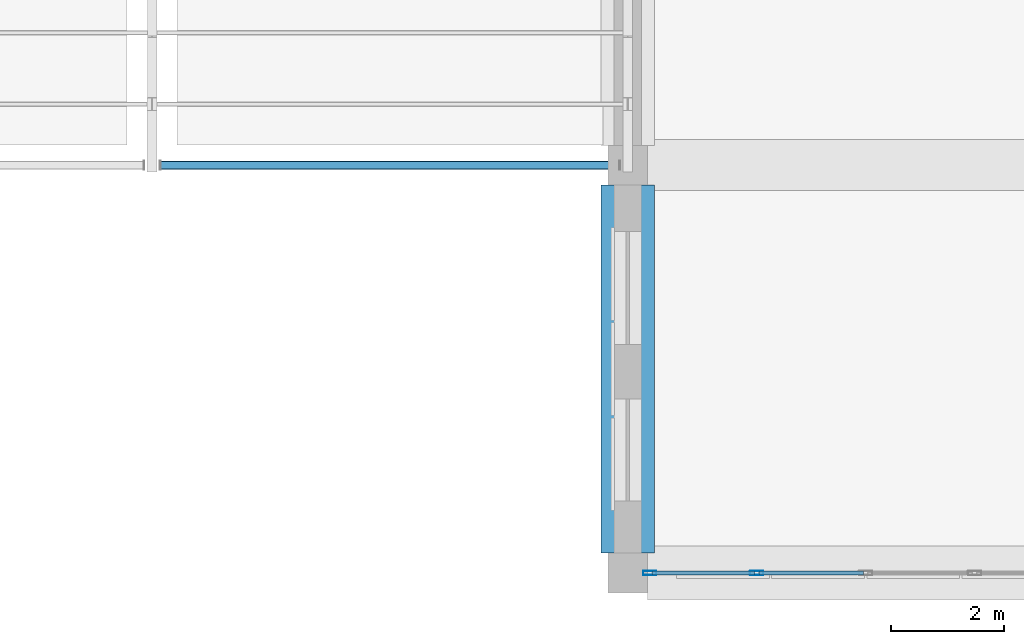
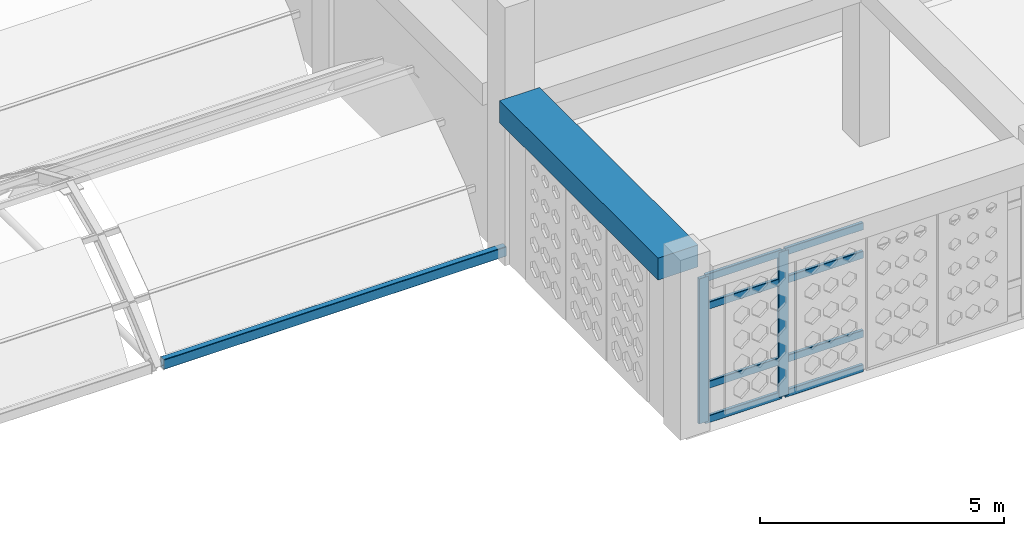
# One storey, part 11 of 100: 10 members, 2 beams, 1 element without a shape of its own.
"""IFC4 building model written with IfcOpenShell, lengths in metres."""

from ifc_helpers import new_model, si_unit, derived_unit, direction, frame, origin, origin_2d, place, context, subcontext, project, spatial, rectangle, hollow_rectangle, extrude, material, material_profile, profile_set, type_object, element, aggregate, save


model = new_model("IFC4")

# Units and contexts
model_context = context("Model", 3, precision=1e-05, world=origin(), true_north=direction((0.0, 1.0)))
body_context = subcontext(model_context, "Body", "Model", "MODEL_VIEW")
ifc_project = project(units=[si_unit("LENGTHUNIT", "METRE"), si_unit("AREAUNIT", "SQUARE_METRE"), si_unit("VOLUMEUNIT", "CUBIC_METRE"), si_unit("PLANEANGLEUNIT", "RADIAN"), si_unit("MASSUNIT", "GRAM", prefix="KILO"), derived_unit("THERMALTRANSMITTANCEUNIT", [(si_unit("POWERUNIT", "WATT"), 1), (si_unit("LENGTHUNIT", "METRE"), -2), (si_unit("THERMODYNAMICTEMPERATUREUNIT", "KELVIN"), -1)])], contexts=[model_context])

# Site, building, storey
site_placement = place(None, origin())
site = spatial("IfcSite", under=ifc_project, at=site_placement, CompositionType="ELEMENT")
building_placement = place(site_placement, origin())
building = spatial("IfcBuilding", under=site, at=building_placement, Name="Veybourne Emporium", CompositionType="ELEMENT")
storey_placement = place(building_placement, frame((0.0, 0.0, 14.39990234375)))
storey = spatial("IfcBuildingStorey", under=building, at=storey_placement, Name="L03", CompositionType="ELEMENT", Elevation=14.39990234375)

# Curtain wall, members
ifc_material_1 = material(Name="Patinated Architectural Bronze", Category="bronze")
curtain_wall_type = type_object("IfcCurtainWallType", Name="CWSystem_CWS-19", PredefinedType="NOTDEFINED", material=ifc_material_1)
curtain_wall_placement = place(storey_placement, origin())
curtain_wall = element("IfcCurtainWall", 1, at=curtain_wall_placement, inside=storey, type_object=curtain_wall_type, Name="L03 bronze glazed curtain wall CWS-19 (048)", PredefinedType="NOTDEFINED")
ifc_material_profile_1 = material_profile(ifc_material_1, hollow_rectangle(XDim=0.077880859375, YDim=0.235107421875, WallThickness=0.0048828125, InnerFilletRadius=0.007568359375, OuterFilletRadius=0.012451171875, at=origin_2d()), Name="CWM 78x235x5")
ifc_profile_set_1 = profile_set([ifc_material_profile_1], Name="Patinated Architectural Bronze")
member_type_1 = type_object("IfcMemberType", Name="CWMullion_CW-M3", PredefinedType="MULLION", material=ifc_profile_set_1)
member_1_placement = place(storey_placement, frame((94.675048828125, 0.0, 0.0), z_axis=(0.0, 0.0, 1.0), x_axis=(0.0, -1.0, 0.0)))
member_1 = element("IfcMember", 2, at=member_1_placement, type_object=member_type_1, Name="CWS-19 mullion 4", PredefinedType="MULLION", context=body_context, shape_type="SweptSolid", body=[
    extrude(hollow_rectangle(XDim=0.077880859375, YDim=0.235107421875, WallThickness=0.0048828125, InnerFilletRadius=0.007568359375, OuterFilletRadius=0.012451171875, at=origin_2d()), origin(), (0.0, 0.0, 1.0), 3.630126953125),
])
member_2_placement = place(storey_placement, frame((92.7890625, 0.0, 0.0), z_axis=(0.0, 0.0, 1.0), x_axis=(0.0, -1.0, 0.0)))
member_2 = element("IfcMember", 3, at=member_2_placement, type_object=member_type_1, Name="CWS-19 mullion 5", PredefinedType="MULLION", context=body_context, shape_type="SweptSolid", body=[
    extrude(hollow_rectangle(XDim=0.077880859375, YDim=0.235107421875, WallThickness=0.0048828125, InnerFilletRadius=0.007568359375, OuterFilletRadius=0.012451171875, at=origin_2d()), origin(), (0.0, 0.0, 1.0), 3.630126953125),
])
ifc_material_profile_2 = material_profile(ifc_material_1, hollow_rectangle(XDim=0.077880859375, YDim=0.18505859375, WallThickness=0.0048828125, InnerFilletRadius=0.007568359375, OuterFilletRadius=0.012451171875, at=origin_2d()), Name="CWT 78x185x5")
ifc_profile_set_2 = profile_set([ifc_material_profile_2], Name="Patinated Architectural Bronze")
member_type_2 = type_object("IfcMemberType", Name="CWTransom_CW-T3", PredefinedType="NOTDEFINED", material=ifc_profile_set_2)
member_3_placement = place(storey_placement, frame((96.56103515625, 0.0, 0.0390625), z_axis=(-1.0, 0.0, 0.0), x_axis=(0.0, -1.0, 0.0)))
member_3 = element("IfcMember", 4, at=member_3_placement, type_object=member_type_2, Name="CWS-19 transom 3.1", ObjectType="TRANSOM", PredefinedType="USERDEFINED", context=body_context, shape_type="SweptSolid", body=[
    extrude(hollow_rectangle(XDim=0.077880859375, YDim=0.18505859375, WallThickness=0.0048828125, InnerFilletRadius=0.007568359375, OuterFilletRadius=0.012451171875, at=origin_2d()), origin(), (0.0, 0.0, 1.0), 1.846923828125),
])
member_4_placement = place(storey_placement, frame((96.56103515625, 0.0, 0.900146484375), z_axis=(-1.0, 0.0, 0.0), x_axis=(0.0, -1.0, 0.0)))
member_4 = element("IfcMember", 5, at=member_4_placement, type_object=member_type_2, Name="CWS-19 transom 3.2", ObjectType="TRANSOM", PredefinedType="USERDEFINED", context=body_context, shape_type="SweptSolid", body=[
    extrude(hollow_rectangle(XDim=0.077880859375, YDim=0.18505859375, WallThickness=0.0048828125, InnerFilletRadius=0.007568359375, OuterFilletRadius=0.012451171875, at=origin_2d()), origin(), (0.0, 0.0, 1.0), 1.846923828125),
])
member_5_placement = place(storey_placement, frame((96.56103515625, 0.0, 2.880126953125), z_axis=(-1.0, 0.0, 0.0), x_axis=(0.0, -1.0, 0.0)))
member_5 = element("IfcMember", 6, at=member_5_placement, type_object=member_type_2, Name="CWS-19 transom 3.3", ObjectType="TRANSOM", PredefinedType="USERDEFINED", context=body_context, shape_type="SweptSolid", body=[
    extrude(hollow_rectangle(XDim=0.077880859375, YDim=0.18505859375, WallThickness=0.0048828125, InnerFilletRadius=0.007568359375, OuterFilletRadius=0.012451171875, at=origin_2d()), origin(), (0.0, 0.0, 1.0), 1.846923828125),
])
member_6_placement = place(storey_placement, frame((96.56103515625, 0.0, 3.591064453125), z_axis=(-1.0, 0.0, 0.0), x_axis=(0.0, -1.0, 0.0)))
member_6 = element("IfcMember", 7, at=member_6_placement, type_object=member_type_2, Name="CWS-19 transom 3.4", ObjectType="TRANSOM", PredefinedType="USERDEFINED", context=body_context, shape_type="SweptSolid", body=[
    extrude(hollow_rectangle(XDim=0.077880859375, YDim=0.18505859375, WallThickness=0.0048828125, InnerFilletRadius=0.007568359375, OuterFilletRadius=0.012451171875, at=origin_2d()), origin(), (0.0, 0.0, 1.0), 1.846923828125),
])
member_7_placement = place(storey_placement, frame((94.635986328125, 0.0, 0.0390625), z_axis=(-1.0, 0.0, 0.0), x_axis=(0.0, -1.0, 0.0)))
member_7 = element("IfcMember", 8, at=member_7_placement, type_object=member_type_2, Name="CWS-19 transom 4.1", ObjectType="TRANSOM", PredefinedType="USERDEFINED", context=body_context, shape_type="SweptSolid", body=[
    extrude(hollow_rectangle(XDim=0.077880859375, YDim=0.18505859375, WallThickness=0.0048828125, InnerFilletRadius=0.007568359375, OuterFilletRadius=0.012451171875, at=origin_2d()), origin(), (0.0, 0.0, 1.0), 1.80810546875),
])
member_8_placement = place(storey_placement, frame((94.635986328125, 0.0, 0.900146484375), z_axis=(-1.0, 0.0, 0.0), x_axis=(0.0, -1.0, 0.0)))
member_8 = element("IfcMember", 9, at=member_8_placement, type_object=member_type_2, Name="CWS-19 transom 4.2", ObjectType="TRANSOM", PredefinedType="USERDEFINED", context=body_context, shape_type="SweptSolid", body=[
    extrude(hollow_rectangle(XDim=0.077880859375, YDim=0.18505859375, WallThickness=0.0048828125, InnerFilletRadius=0.007568359375, OuterFilletRadius=0.012451171875, at=origin_2d()), origin(), (0.0, 0.0, 1.0), 1.80810546875),
])
member_9_placement = place(storey_placement, frame((94.635986328125, 0.0, 2.880126953125), z_axis=(-1.0, 0.0, 0.0), x_axis=(0.0, -1.0, 0.0)))
member_9 = element("IfcMember", 10, at=member_9_placement, type_object=member_type_2, Name="CWS-19 transom 4.3", ObjectType="TRANSOM", PredefinedType="USERDEFINED", context=body_context, shape_type="SweptSolid", body=[
    extrude(hollow_rectangle(XDim=0.077880859375, YDim=0.18505859375, WallThickness=0.0048828125, InnerFilletRadius=0.007568359375, OuterFilletRadius=0.012451171875, at=origin_2d()), origin(), (0.0, 0.0, 1.0), 1.80810546875),
])
member_10_placement = place(storey_placement, frame((94.635986328125, 0.0, 3.591064453125), z_axis=(-1.0, 0.0, 0.0), x_axis=(0.0, -1.0, 0.0)))
member_10 = element("IfcMember", 11, at=member_10_placement, type_object=member_type_2, Name="CWS-19 transom 4.4", ObjectType="TRANSOM", PredefinedType="USERDEFINED", context=body_context, shape_type="SweptSolid", body=[
    extrude(hollow_rectangle(XDim=0.077880859375, YDim=0.18505859375, WallThickness=0.0048828125, InnerFilletRadius=0.007568359375, OuterFilletRadius=0.012451171875, at=origin_2d()), origin(), (0.0, 0.0, 1.0), 1.80810546875),
])
aggregate(curtain_wall, [member_1, member_2, member_3, member_4, member_5, member_6, member_7, member_8, member_9, member_10])

# Beams
ifc_material_2 = material(Name="Concrete C32/40", Category="concrete")
ifc_material_profile_3 = material_profile(ifc_material_2, rectangle(XDim=0.949951171875, YDim=0.550048828125, at=origin_2d()), Name="RC 950x550")
ifc_profile_set_3 = profile_set([ifc_material_profile_3], Name="Concrete C32/40")
beam_type_1 = type_object("IfcBeamType", Name="RCBeam_EB-01", PredefinedType="SPANDREL", material=ifc_profile_set_3)
beam_1_placement = place(storey_placement, frame((92.39990234375, 0.35009765625, 3.905029296875), z_axis=(0.0, 1.0, 0.0), x_axis=(-1.0, 0.0, 0.0)))
element("IfcBeam", 12, at=beam_1_placement, inside=storey, type_object=beam_type_1, Name="L03 Y-grid beam EB-01 (11,0)", PredefinedType="SPANDREL", context=body_context, shape_type="SweptSolid", body=[
    extrude(rectangle(XDim=0.949951171875, YDim=0.550048828125, at=origin_2d()), origin(), (0.0, 0.0, 1.0), 6.5),
])
ifc_material_3 = material(Name="Steel S355", Category="steel")
ifc_material_profile_4 = material_profile(ifc_material_3, hollow_rectangle(XDim=0.14990234375, YDim=0.25, WallThickness=0.008056640625, InnerFilletRadius=0.011962890625, OuterFilletRadius=0.02001953125, at=origin_2d()), Name="RHS 250x150x8")
ifc_profile_set_4 = profile_set([ifc_material_profile_4], Name="Steel S355")
beam_type_2 = type_object("IfcBeamType", Name="SteelBeam_AR-03", PredefinedType="BEAM", material=ifc_profile_set_4)
beam_2_placement = place(storey_placement, frame((84.14990234375, 7.199951171875, 0.125), z_axis=(1.0, 0.0, 0.0), x_axis=(0.0, 1.0, 0.0)))
element("IfcBeam", 13, at=beam_2_placement, inside=storey, type_object=beam_type_2, Name="Arcade springing edge beam B4.Y7", PredefinedType="BEAM", context=body_context, shape_type="SweptSolid", body=[
    extrude(hollow_rectangle(XDim=0.14990234375, YDim=0.25, WallThickness=0.008056640625, InnerFilletRadius=0.011962890625, OuterFilletRadius=0.02001953125, at=origin_2d()), origin(), (0.0, 0.0, 1.0), 8.10009765625),
])

save(model, "model.ifc")
